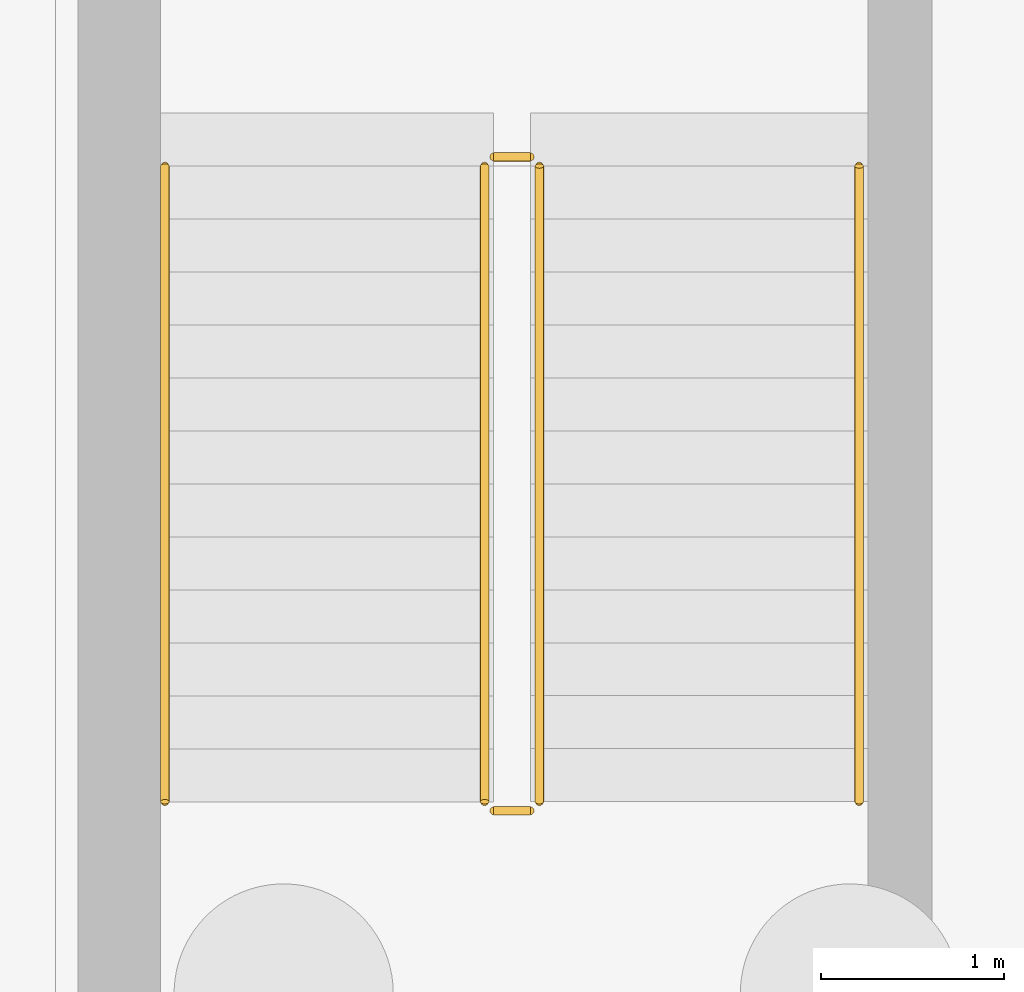
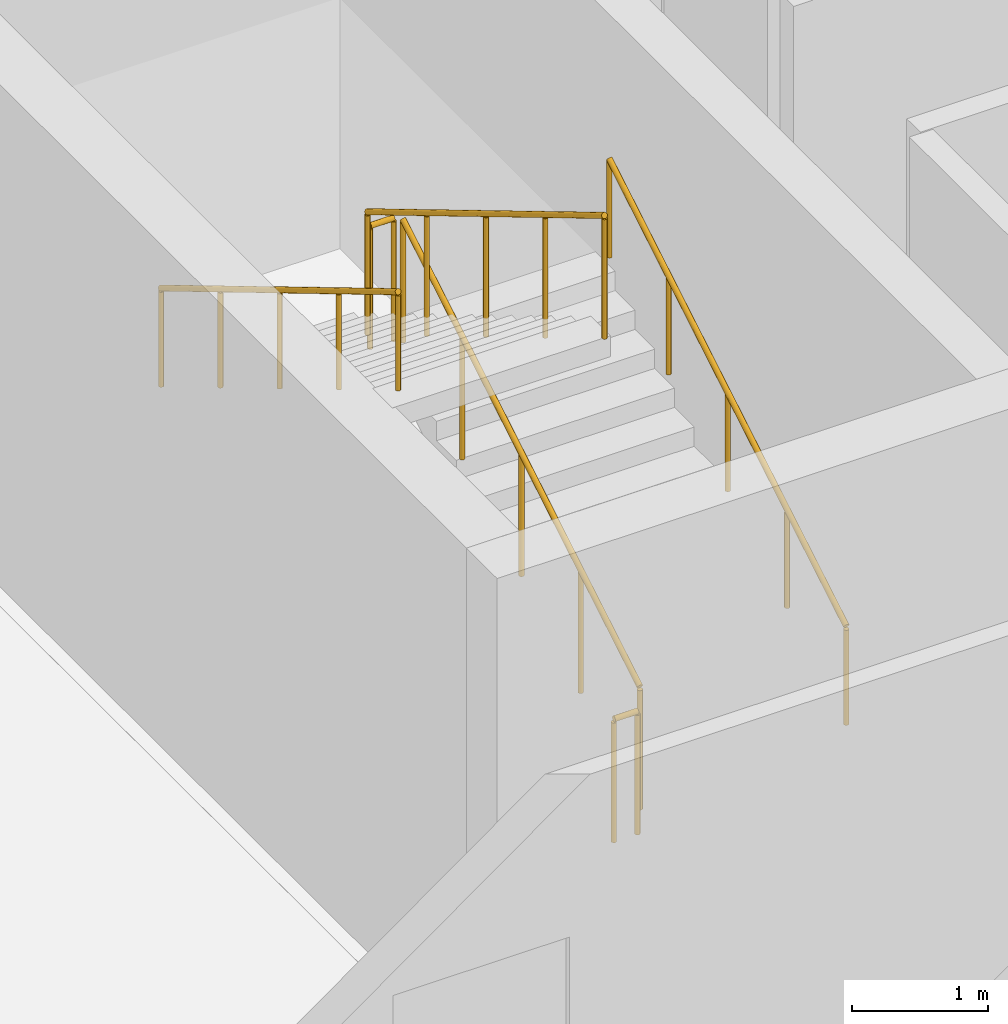
# One storey, part 47 of 49: 6 railings.
"""IFC4 building model written with IfcOpenShell, lengths in metres."""

from ifc_helpers import new_model, si_unit, direction, frame, origin, origin_2d, place, context, subcontext, project, spatial, circle, extrude, material, type_object, element, save


model = new_model("IFC4")

# Units and contexts
model_context = context("Model", 3, precision=1e-05, world=origin(), true_north=direction((0.0, 1.0)))
body_context = subcontext(model_context, "Body", "Model", "MODEL_VIEW")
ifc_project = project(units=[si_unit("LENGTHUNIT", "METRE"), si_unit("AREAUNIT", "SQUARE_METRE"), si_unit("VOLUMEUNIT", "CUBIC_METRE"), si_unit("PLANEANGLEUNIT", "RADIAN"), si_unit("MASSUNIT", "GRAM", prefix="KILO")], contexts=[model_context])

# Site, building, storey
site_placement = place(None, origin())
site = spatial("IfcSite", under=ifc_project, at=site_placement, CompositionType="ELEMENT")
building_placement = place(site_placement, origin())
building = spatial("IfcBuilding", under=site, at=building_placement, Name="Sollismere Congress Hotel", CompositionType="ELEMENT")
storey_placement = place(building_placement, frame((0.0, 0.0, -4.5)))
storey = spatial("IfcBuildingStorey", under=building, at=storey_placement, Name="B1", CompositionType="ELEMENT", Elevation=-4.5)

# Railings
ifc_material_1 = material(Name="Steel ASTM A500 Grade C", Category="steel")
railing_type_1 = type_object("IfcRailingType", Name="RL-GRD112", PredefinedType="GUARDRAIL", material=ifc_material_1)
railing_1_placement = place(storey_placement, frame((78.699951171875, 78.449951171875, 0.173095703125)))
element("IfcRailing", 1, at=railing_1_placement, inside=storey, type_object=railing_type_1, Name="RLG-RG-ST-04-B1-1", PredefinedType="GUARDRAIL", context=body_context, shape_type="SweptSolid", body=[
    extrude(circle(Radius=0.02392578125, at=origin_2d()), frame((0.0, 0.0, 1.09619140625), z_axis=(0.0, 0.858697190188, 0.512483302717), x_axis=(-1.0, 0.0, 0.0)), (0.0, 0.0, 1.0), 4.052734375),
    extrude(circle(Radius=0.02099609375, at=origin_2d()), origin(), (0.0, 0.0, 1.0), 1.072021484375),
    extrude(circle(Radius=0.02099609375, at=origin_2d()), frame((0.0, 0.8701171875, 0.519287109375)), (0.0, 0.0, 1.0), 1.072021484375),
    extrude(circle(Radius=0.02099609375, at=origin_2d()), frame((0.0, 1.739990234375, 1.03857421875)), (0.0, 0.0, 1.0), 1.072021484375),
    extrude(circle(Radius=0.02099609375, at=origin_2d()), frame((0.0, 2.60986328125, 1.5576171875)), (0.0, 0.0, 1.0), 1.072021484375),
    extrude(circle(Radius=0.02099609375, at=origin_2d()), frame((0.0, 3.47998046875, 2.076904296875)), (0.0, 0.0, 1.0), 1.072021484375),
])
railing_2_placement = place(storey_placement, frame((78.64990234375, 81.97998046875, 2.25)))
element("IfcRailing", 2, at=railing_2_placement, inside=storey, type_object=railing_type_1, Name="RLG-RG-ST-04-B1-2", PredefinedType="GUARDRAIL", context=body_context, shape_type="SweptSolid", body=[
    extrude(circle(Radius=0.02392578125, at=origin_2d()), frame((0.0, 0.0, 1.09619140625), z_axis=(-1.0, 0.0, 0.0), x_axis=(0.0, -1.0, 0.0)), (0.0, 0.0, 1.0), 0.199951171875),
    extrude(circle(Radius=0.02099609375, at=origin_2d()), origin(), (0.0, 0.0, 1.0), 1.072021484375),
    extrude(circle(Radius=0.02099609375, at=origin_2d()), frame((-0.199951171875, 0.0, 0.0)), (0.0, 0.0, 1.0), 1.072021484375),
])
railing_3_placement = place(storey_placement, frame((78.39990234375, 81.929931640625, 2.423095703125)))
element("IfcRailing", 3, at=railing_3_placement, inside=storey, type_object=railing_type_1, Name="RLG-RG-ST-04-B1-3", PredefinedType="GUARDRAIL", context=body_context, shape_type="SweptSolid", body=[
    extrude(circle(Radius=0.02392578125, at=origin_2d()), frame((0.0, 0.0, 1.09619140625), z_axis=(0.0, -0.858697190188, 0.512483302717), x_axis=(1.0, 0.0, 0.0)), (0.0, 0.0, 1.0), 4.052734375),
    extrude(circle(Radius=0.02099609375, at=origin_2d()), origin(), (0.0, 0.0, 1.0), 1.072021484375),
    extrude(circle(Radius=0.02099609375, at=origin_2d()), frame((0.0, -0.8701171875, 0.519287109375)), (0.0, 0.0, 1.0), 1.072021484375),
    extrude(circle(Radius=0.02099609375, at=origin_2d()), frame((0.0, -1.739990234375, 1.03857421875)), (0.0, 0.0, 1.0), 1.072021484375),
    extrude(circle(Radius=0.02099609375, at=origin_2d()), frame((0.0, -2.60986328125, 1.5576171875)), (0.0, 0.0, 1.0), 1.072021484375),
    extrude(circle(Radius=0.02099609375, at=origin_2d()), frame((0.0, -3.47998046875, 2.076904296875)), (0.0, 0.0, 1.0), 1.072021484375),
])
railing_4_placement = place(storey_placement, frame((78.64990234375, 78.39990234375, 0.0)))
element("IfcRailing", 4, at=railing_4_placement, inside=storey, type_object=railing_type_1, Name="RLG-RG-ST-04-B1-4", PredefinedType="GUARDRAIL", context=body_context, shape_type="SweptSolid", body=[
    extrude(circle(Radius=0.02392578125, at=origin_2d()), frame((0.0, 0.0, 1.09619140625), z_axis=(-1.0, 0.0, 0.0), x_axis=(0.0, -1.0, 0.0)), (0.0, 0.0, 1.0), 0.199951171875),
    extrude(circle(Radius=0.02099609375, at=origin_2d()), origin(), (0.0, 0.0, 1.0), 1.072021484375),
    extrude(circle(Radius=0.02099609375, at=origin_2d()), frame((-0.199951171875, 0.0, 0.0)), (0.0, 0.0, 1.0), 1.072021484375),
])
ifc_material_2 = material(Name="Brushed Architectural Bronze")
railing_type_2 = type_object("IfcRailingType", Name="RL-HND90", PredefinedType="HANDRAIL", material=ifc_material_2)
railing_5_placement = place(storey_placement, frame((80.449951171875, 78.449951171875, 0.322265625)))
element("IfcRailing", 5, at=railing_5_placement, inside=storey, type_object=railing_type_2, Name="RLG-RH-ST-04-B1-1", PredefinedType="HANDRAIL", context=body_context, shape_type="SweptSolid", body=[
    extrude(circle(Radius=0.02392578125, at=origin_2d()), frame((0.0, 0.0, 0.8759765625), z_axis=(0.0, 0.858697190188, 0.512483302717), x_axis=(-1.0, 0.0, 0.0)), (0.0, 0.0, 1.0), 4.052734375),
    extrude(circle(Radius=0.02099609375, at=origin_2d()), origin(), (0.0, 0.0, 1.0), 0.851806640625),
    extrude(circle(Radius=0.02099609375, at=origin_2d()), frame((0.0, 0.8701171875, 0.519287109375)), (0.0, 0.0, 1.0), 0.851806640625),
    extrude(circle(Radius=0.02099609375, at=origin_2d()), frame((0.0, 1.739990234375, 1.03857421875)), (0.0, 0.0, 1.0), 0.851806640625),
    extrude(circle(Radius=0.02099609375, at=origin_2d()), frame((0.0, 2.60986328125, 1.5576171875)), (0.0, 0.0, 1.0), 0.851806640625),
    extrude(circle(Radius=0.02099609375, at=origin_2d()), frame((0.0, 3.47998046875, 2.076904296875)), (0.0, 0.0, 1.0), 0.851806640625),
])
railing_6_placement = place(storey_placement, frame((76.64990234375, 81.929931640625, 2.572265625)))
element("IfcRailing", 6, at=railing_6_placement, inside=storey, type_object=railing_type_2, Name="RLG-RH-ST-04-B1-2", PredefinedType="HANDRAIL", context=body_context, shape_type="SweptSolid", body=[
    extrude(circle(Radius=0.02392578125, at=origin_2d()), frame((0.0, 0.0, 0.8759765625), z_axis=(0.0, -0.858697190188, 0.512483302717), x_axis=(1.0, 0.0, 0.0)), (0.0, 0.0, 1.0), 4.052734375),
    extrude(circle(Radius=0.02099609375, at=origin_2d()), origin(), (0.0, 0.0, 1.0), 0.851806640625),
    extrude(circle(Radius=0.02099609375, at=origin_2d()), frame((0.0, -0.8701171875, 0.519287109375)), (0.0, 0.0, 1.0), 0.851806640625),
    extrude(circle(Radius=0.02099609375, at=origin_2d()), frame((0.0, -1.739990234375, 1.03857421875)), (0.0, 0.0, 1.0), 0.851806640625),
    extrude(circle(Radius=0.02099609375, at=origin_2d()), frame((0.0, -2.60986328125, 1.5576171875)), (0.0, 0.0, 1.0), 0.851806640625),
    extrude(circle(Radius=0.02099609375, at=origin_2d()), frame((0.0, -3.47998046875, 2.076904296875)), (0.0, 0.0, 1.0), 0.851806640625),
])

save(model, "model.ifc")
